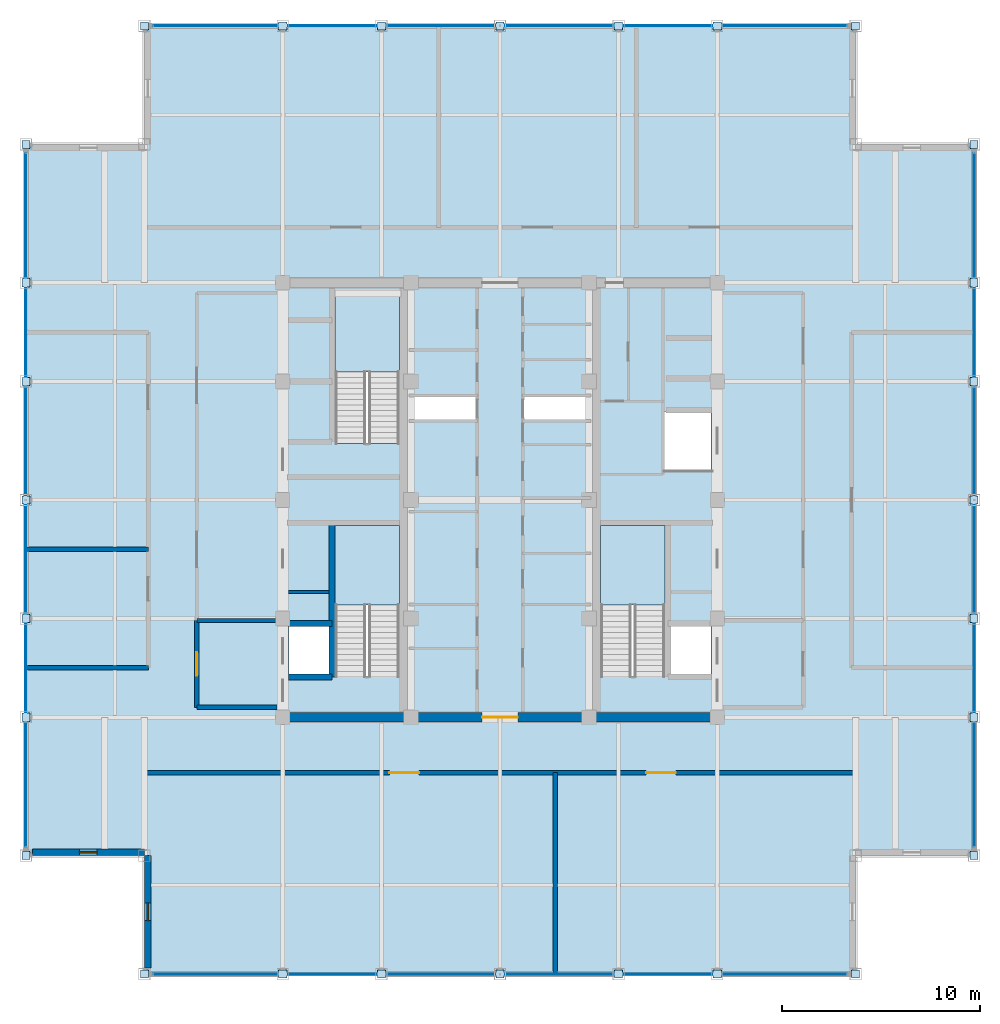
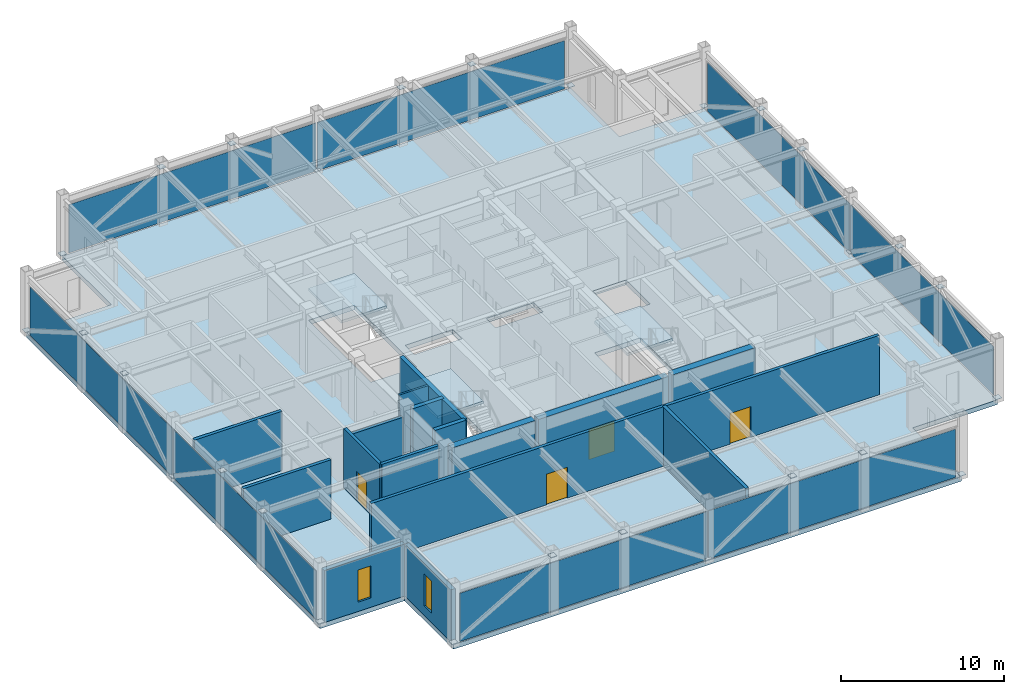
# One storey, part 23 of 27: 36 plates, 16 walls, 4 doors, 4 slabs, 2 windows, 6 openings, 7 elements without a shape of their own.
"""IFC4 building model written with IfcOpenShell, lengths in metres."""

import ifcopenshell
import ifcopenshell.guid

model = None  # the IFC model being written
_history = None  # IfcOwnerHistory: only IFC2X3 demands one
_inside = {}  # id of a spatial element -> (the spatial element, [elements in it])
_under = {}  # id of a project, library or spatial element -> (it, [spatial elements below it])
_declared = {}  # id of a project -> (the project, [libraries it declares])
_typed = {}  # id of a type object -> (the type object, [elements of that type])
_made_of = {}  # id of a material, layer set ... -> (it, [elements and type objects made of it])


def new_model(schema):
    """Start an empty IFC model of exactly this schema.

    Asked for "IFC4X3", IfcOpenShell would pick the latest addendum, in which some entities
    have other attributes; the version numbers below select the first issue.
    IFC2X3 requires an IfcOwnerHistory on every rooted entity: one is made here for all.
    """
    global model, _history
    if schema == "IFC4X3":
        model = ifcopenshell.file(schema_version=(4, 3, 0, 0))
    else:
        model = ifcopenshell.file(schema=schema)
    _inside.clear()
    _under.clear()
    _declared.clear()
    _typed.clear()
    _made_of.clear()
    _history = None
    if model.schema == "IFC2X3":
        org = make("IfcOrganization", Name="unknown")
        user = make(
            "IfcPersonAndOrganization",
            ThePerson=make("IfcPerson", FamilyName="unknown"),
            TheOrganization=org,
        )
        app = make(
            "IfcApplication",
            ApplicationDeveloper=org,
            Version="unknown",
            ApplicationFullName="unknown",
            ApplicationIdentifier="unknown",
        )
        _history = make(
            "IfcOwnerHistory",
            OwningUser=user,
            OwningApplication=app,
            ChangeAction="ADDED",
            CreationDate=0,
        )
    return model


def make(cls, **values):
    """One entity of the class cls with the attributes given. An attribute that is None is left unset."""
    return model.create_entity(
        cls, **{name: value for name, value in values.items() if value is not None}
    )


def rooted(cls, **values):
    """An entity with a GlobalId (a new one), such as an element, a storey or a relation."""
    return make(cls, GlobalId=ifcopenshell.guid.new(), OwnerHistory=_history, **values)


def si_unit(unit_type, name, prefix=None):
    """IfcSIUnit, for example si_unit("LENGTHUNIT", "METRE", prefix="MILLI")."""
    return make("IfcSIUnit", UnitType=unit_type, Prefix=prefix, Name=name)


def assignment(units):
    """IfcUnitAssignment: the units of a project."""
    return None if units is None else make("IfcUnitAssignment", Units=units)


def point(xyz):
    """IfcCartesianPoint."""
    return None if xyz is None else make("IfcCartesianPoint", Coordinates=xyz)


def direction(xyz):
    """IfcDirection."""
    return None if xyz is None else make("IfcDirection", DirectionRatios=xyz)


def frame(location, z_axis=None, x_axis=None):
    """IfcAxis2Placement3D, a coordinate frame: its origin and axes. An axis left out is left unset."""
    return make(
        "IfcAxis2Placement3D",
        Location=point(location),
        Axis=direction(z_axis),
        RefDirection=direction(x_axis),
    )


def frame_2d(location, x_axis=None):
    """IfcAxis2Placement2D, a coordinate frame in the plane: its origin and x axis."""
    return make(
        "IfcAxis2Placement2D", Location=point(location), RefDirection=direction(x_axis)
    )


def origin():
    """The frame at (0, 0, 0) with its axes left unset."""
    return frame((0.0, 0.0, 0.0))


def origin_2d():
    """The frame at (0, 0) in the plane with its x axis left unset."""
    return frame_2d((0.0, 0.0))


def place(relative_to, where):
    """IfcLocalPlacement: puts the frame where relative to a parent placement (None: the world)."""
    return make(
        "IfcLocalPlacement", PlacementRelTo=relative_to, RelativePlacement=where
    )


def context(
    kind, dimensions, precision=None, world=None, true_north=None, identifier=None
):
    """IfcGeometricRepresentationContext, for example the 3D "Model" context."""
    return make(
        "IfcGeometricRepresentationContext",
        ContextIdentifier=identifier,
        ContextType=kind,
        CoordinateSpaceDimension=dimensions,
        Precision=precision,
        WorldCoordinateSystem=world,
        TrueNorth=true_north,
    )


def subcontext(parent, identifier, kind, view, scale=None):
    """IfcGeometricRepresentationSubContext, for example "Body" below "Model"."""
    return make(
        "IfcGeometricRepresentationSubContext",
        ContextIdentifier=identifier,
        ContextType=kind,
        ParentContext=parent,
        TargetScale=scale,
        TargetView=view,
    )


def project(units=None, contexts=None):
    """IfcProject with its units and contexts."""
    return rooted(
        "IfcProject",
        Name="project",
        RepresentationContexts=contexts,
        UnitsInContext=assignment(units),
    )


def spatial(cls, under=None, at=None, **own):
    """A site, building, storey or space (cls), placed at a placement, below another one or the project."""
    s = rooted(cls, ObjectPlacement=at, **own)
    if under is not None:
        _under.setdefault(under.id(), (under, []))[1].append(s)
    return s


def polyline(points):
    """IfcPolyline through the points."""
    return make("IfcPolyline", Points=[point(p) for p in points])


def profile(cls, at=None, kind="AREA", **sizes):
    """A parametric profile (cls). Its sizes go by their IFC names, for example OverallWidth=200.0."""
    return make(cls, ProfileType=kind, Position=at, **sizes)


def rectangle(**sizes):
    """IfcRectangleProfileDef."""
    return profile("IfcRectangleProfileDef", **sizes)


def outline(outer, holes=None, kind="AREA"):
    """IfcArbitraryClosedProfileDef: a profile drawn as a closed curve; with holes, ...WithVoids."""
    if holes is None:
        return make("IfcArbitraryClosedProfileDef", ProfileType=kind, OuterCurve=outer)
    return make(
        "IfcArbitraryProfileDefWithVoids",
        ProfileType=kind,
        OuterCurve=outer,
        InnerCurves=holes,
    )


def extrude(swept, where, along, depth):
    """IfcExtrudedAreaSolid: the profile swept, set in the frame where, extruded along a direction by depth."""
    return make(
        "IfcExtrudedAreaSolid",
        SweptArea=swept,
        Position=where,
        ExtrudedDirection=direction(along),
        Depth=depth,
    )


def shape(context_of_items, identifier, shape_type, items):
    """IfcShapeRepresentation: the items that make up one representation, for example the "Body"."""
    return make(
        "IfcShapeRepresentation",
        ContextOfItems=context_of_items,
        RepresentationIdentifier=identifier,
        RepresentationType=shape_type,
        Items=items,
    )


def source(mapping_origin, context_of_items, identifier, shape_type, items):
    """IfcRepresentationMap: a shape defined once, which mapped items show again and again."""
    return make(
        "IfcRepresentationMap",
        MappingOrigin=mapping_origin,
        MappedRepresentation=shape(context_of_items, identifier, shape_type, items),
    )


def transform(
    local_origin,
    x_axis=None,
    y_axis=None,
    z_axis=None,
    scale=None,
    scale2=None,
    scale3=None,
    uniform=True,
):
    """IfcCartesianTransformationOperator3D, or its non-uniform kind. x_axis, y_axis, z_axis: its Axis1, 2, 3."""
    if uniform:
        return make(
            "IfcCartesianTransformationOperator3D",
            Axis1=direction(x_axis),
            Axis2=direction(y_axis),
            LocalOrigin=point(local_origin),
            Scale=scale,
            Axis3=direction(z_axis),
        )
    return make(
        "IfcCartesianTransformationOperator3DnonUniform",
        Axis1=direction(x_axis),
        Axis2=direction(y_axis),
        LocalOrigin=point(local_origin),
        Scale=scale,
        Axis3=direction(z_axis),
        Scale2=scale2,
        Scale3=scale3,
    )


def mapped(mapping_source, mapping_target):
    """IfcMappedItem: shows the shape of a source again, moved by a transform."""
    return make(
        "IfcMappedItem", MappingSource=mapping_source, MappingTarget=mapping_target
    )


def material(Name=None, Category=None):
    """IfcMaterial."""
    return make("IfcMaterial", Name=Name, Category=Category)


def layer(
    of_material, thickness, ventilated=None, Name=None, Category=None, Priority=None
):
    """IfcMaterialLayer: one layer of a wall or slab, of a material (None: an air gap)."""
    return make(
        "IfcMaterialLayer",
        Material=of_material,
        LayerThickness=thickness,
        IsVentilated=ventilated,
        Name=Name,
        Category=Category,
        Priority=Priority,
    )


def layer_set(layers, Name=None):
    """IfcMaterialLayerSet."""
    return make("IfcMaterialLayerSet", MaterialLayers=layers, LayerSetName=Name)


def made_of(thing, what):
    """Note that an element or type object is made of a material, layer set ...; save() writes the relation."""
    if what is not None:
        _made_of.setdefault(what.id(), (what, []))[1].append(thing)
    return thing


def type_object(cls, material=None, **own):
    """A type object (cls), such as IfcWallType, which elements share."""
    return made_of(rooted(cls, **own), material)


def element(
    cls,
    number,
    at=None,
    inside=None,
    cuts=None,
    type_object=None,
    material=None,
    context=None,
    identifier="Body",
    shape_type=None,
    held_by="IfcProductDefinitionShape",
    body=None,
    shapes=None,
    **own,
):
    """One element of the class cls, such as IfcWall. Its Tag is "e" and its number.

    at: its placement. inside: the storey or other place that contains it. cuts: it is an
    opening in that element (IfcRelVoidsElement). A single representation is given by context,
    identifier, shape_type and body (its items); several are given by shapes. held_by: the class
    of the entity that holds the representations. save() writes the other relations.
    """
    e = rooted(cls, Tag="e%d" % number, ObjectPlacement=at, **own)
    if body is not None:
        shapes = [shape(context, identifier, shape_type, body)]
    if shapes is not None:
        e.Representation = make(held_by, Representations=shapes)
    if inside is not None:
        _inside.setdefault(inside.id(), (inside, []))[1].append(e)
    if cuts is not None:
        rooted(
            "IfcRelVoidsElement", RelatingBuildingElement=cuts, RelatedOpeningElement=e
        )
    if type_object is not None:
        _typed.setdefault(type_object.id(), (type_object, []))[1].append(e)
    return made_of(e, material)


def fill(opening, filler):
    """IfcRelFillsElement: the door or window that sits in an opening."""
    return rooted(
        "IfcRelFillsElement",
        RelatingOpeningElement=opening,
        RelatedBuildingElement=filler,
    )


def aggregate(whole, parts):
    """IfcRelAggregates: a whole, such as a stair, and the parts it consists of."""
    return rooted("IfcRelAggregates", RelatingObject=whole, RelatedObjects=parts)


def save(model, path):
    """Write the relations noted so far, then the file.

    IfcRelAggregates (storeys below a building ...), IfcRelContainedInSpatialStructure (elements
    in a storey), IfcRelDefinesByType, IfcRelAssociatesMaterial and IfcRelDeclares: one each for
    every whole, place, type object, material and project.
    """
    for whole, parts in _under.values():
        aggregate(whole, parts)
    for where, things in _inside.values():
        rooted(
            "IfcRelContainedInSpatialStructure",
            RelatedElements=things,
            RelatingStructure=where,
        )
    for kind, things in _typed.values():
        rooted("IfcRelDefinesByType", RelatedObjects=things, RelatingType=kind)
    for what, things in _made_of.values():
        rooted("IfcRelAssociatesMaterial", RelatedObjects=things, RelatingMaterial=what)
    for by, libraries in _declared.values():
        rooted("IfcRelDeclares", RelatingContext=by, RelatedDefinitions=libraries)
    model.write(path)


model = new_model("IFC4")

# Units and contexts
model_context = context("Model", 3, precision=1e-05, world=origin(), true_north=direction((0.0, 1.0)))
body_context = subcontext(model_context, "Body", "Model", "MODEL_VIEW")
ifc_project = project(units=[si_unit("LENGTHUNIT", "METRE"), si_unit("AREAUNIT", "SQUARE_METRE"), si_unit("VOLUMEUNIT", "CUBIC_METRE"), si_unit("PLANEANGLEUNIT", "RADIAN"), si_unit("MASSUNIT", "GRAM", prefix="KILO")], contexts=[model_context])

# Site, building, storey
site_placement = place(None, origin())
site = spatial("IfcSite", under=ifc_project, at=site_placement, CompositionType="ELEMENT")
building_placement = place(site_placement, origin())
building = spatial("IfcBuilding", under=site, at=building_placement, Name="Khorayat Bourse Tower", CompositionType="ELEMENT")
storey_placement = place(building_placement, frame((0.0, 0.0, 389.89990234375)))
storey = spatial("IfcBuildingStorey", under=building, at=storey_placement, Name="L92", CompositionType="ELEMENT", Elevation=389.89990234375)

# Stair, slab
ifc_material_1 = material(Name="Concrete C40/50", Category="concrete")
stair_type = type_object("IfcStairType", Name="STR-CORE-1550", PredefinedType="HALF_TURN_STAIR", material=ifc_material_1)
stair_1_placement = place(storey_placement, origin())
stair_1 = element("IfcStair", 1, at=stair_1_placement, inside=storey, type_object=stair_type, Name="L92 Exit Stair ST-1", PredefinedType="HALF_TURN_STAIR")
ifc_layer_1 = layer(ifc_material_1, 0.199951171875)
ifc_layer_set_1 = layer_set([ifc_layer_1], Name="Concrete C40/50")
slab_type_1 = type_object("IfcSlabType", Name="SLB-LANDING-200", PredefinedType="LANDING", material=ifc_layer_set_1)
slab_1_placement = place(storey_placement, frame((0.0, 0.0, 2.2001953125)))
slab_1 = element("IfcSlab", 2, at=slab_1_placement, type_object=slab_type_1, Name="ST-1 landing 1", PredefinedType="LANDING", context=body_context, shape_type="SweptSolid", body=[
    extrude(outline(polyline([(-5.10009765625, -5.31005859375), (-5.10009765625, -1.300048828125), (-8.35009765625, -1.300048828125), (-8.35009765625, -5.31005859375), (-5.10009765625, -5.31005859375)])), origin(), (0.0, 0.0, 1.0), 0.199951171875),
])
aggregate(stair_1, [slab_1])

stair_2_placement = place(storey_placement, origin())
stair_2 = element("IfcStair", 3, at=stair_2_placement, inside=storey, type_object=stair_type, Name="L92 Exit Stair ST-2", PredefinedType="HALF_TURN_STAIR")
slab_2_placement = place(storey_placement, frame((0.0, 0.0, 2.2001953125)))
slab_2 = element("IfcSlab", 4, at=slab_2_placement, type_object=slab_type_1, Name="ST-2 landing 1", PredefinedType="LANDING", context=body_context, shape_type="SweptSolid", body=[
    extrude(outline(polyline([(-5.10009765625, 6.489990234375), (-5.10009765625, 10.5), (-8.35009765625, 10.5), (-8.35009765625, 6.489990234375), (-5.10009765625, 6.489990234375)])), origin(), (0.0, 0.0, 1.0), 0.199951171875),
])
aggregate(stair_2, [slab_2])

stair_3_placement = place(storey_placement, origin())
stair_3 = element("IfcStair", 5, at=stair_3_placement, inside=storey, type_object=stair_type, Name="L92 Exit Stair ST-3", PredefinedType="HALF_TURN_STAIR")
slab_3_placement = place(storey_placement, frame((0.0, 0.0, 2.2001953125)))
slab_3 = element("IfcSlab", 6, at=slab_3_placement, type_object=slab_type_1, Name="ST-3 landing 1", PredefinedType="LANDING", context=body_context, shape_type="SweptSolid", body=[
    extrude(outline(polyline([(8.35009765625, -5.31005859375), (8.35009765625, -1.300048828125), (5.10009765625, -1.300048828125), (5.10009765625, -5.31005859375), (8.35009765625, -5.31005859375)])), origin(), (0.0, 0.0, 1.0), 0.199951171875),
])
aggregate(stair_3, [slab_3])

# Slab
ifc_material_2 = material(Name="Concrete C50/60", Category="concrete")
ifc_layer_2 = layer(ifc_material_2, 0.35009765625)
ifc_layer_set_2 = layer_set([ifc_layer_2], Name="Concrete C50/60")
slab_type_2 = type_object("IfcSlabType", Name="SLB-PLANT-350", PredefinedType="FLOOR", material=ifc_layer_set_2)
slab_4_placement = place(storey_placement, frame((0.0, 0.0, -0.349853515625)))
element("IfcSlab", 7, at=slab_4_placement, inside=storey, type_object=slab_type_2, Name="L92 Main Floor Slab", PredefinedType="FLOOR", context=body_context, shape_type="SweptSolid", body=[
    extrude(outline(polyline([(-18.0, -24.0), (18.0, -24.0), (18.0, -18.0), (24.0, -18.0), (24.0, 18.0), (18.0, 18.0), (18.0, 24.0), (-18.0, 24.0), (-18.0, 18.0), (-24.0, 18.0), (-24.0, -18.0), (-18.0, -18.0), (-18.0, -24.0)]), holes=[polyline([(-8.35009765625, -8.945068359375), (-5.10009765625, -8.945068359375), (-5.10009765625, -1.300048828125), (-8.35009765625, -1.300048828125), (-8.35009765625, -8.945068359375)]), polyline([(-8.35009765625, 2.85498046875), (-5.10009765625, 2.85498046875), (-5.10009765625, 10.5), (-8.35009765625, 10.5), (-8.35009765625, 2.85498046875)]), polyline([(5.10009765625, -8.945068359375), (8.35009765625, -8.945068359375), (8.35009765625, -1.300048828125), (5.10009765625, -1.300048828125), (5.10009765625, -8.945068359375)]), polyline([(-10.679931640625, -8.929931640625), (-8.419921875, -8.929931640625), (-8.419921875, -6.3701171875), (-10.679931640625, -6.3701171875), (-10.679931640625, -8.929931640625)]), polyline([(8.419921875, -8.929931640625), (10.679931640625, -8.929931640625), (10.679931640625, -6.3701171875), (8.419921875, -6.3701171875), (8.419921875, -8.929931640625)]), polyline([(8.320068359375, 1.52001953125), (10.679931640625, 1.52001953125), (10.679931640625, 4.47998046875), (8.320068359375, 4.47998046875), (8.320068359375, 1.52001953125)]), polyline([(-4.56005859375, 4.080078125), (-1.18994140625, 4.080078125), (-1.18994140625, 5.219970703125), (-4.56005859375, 5.219970703125), (-4.56005859375, 4.080078125)]), polyline([(1.18994140625, 4.080078125), (4.56005859375, 4.080078125), (4.56005859375, 5.219970703125), (1.18994140625, 5.219970703125), (1.18994140625, 4.080078125)])]), origin(), (0.0, 0.0, 1.0), 0.349853515625),
])

# Plates
ifc_material_3 = material(Name="Steel EN 10025-2 S355J2", Category="steel")
ifc_layer_3 = layer(ifc_material_3, 0.02490234375)
ifc_layer_set_3 = layer_set([ifc_layer_3], Name="Steel EN 10025-2 S355J2")
plate_type_1 = type_object("IfcPlateType", Name="PLT-ENDCAP-25", PredefinedType="SHEET", material=ifc_layer_set_3)
shared_shape_1 = source(origin(), body_context, "Body", "SweptSolid", [
    extrude(rectangle(XDim=0.419921875, YDim=0.419921875, at=origin_2d()), origin(), (0.0, 0.0, 1.0), 0.02490234375),
])
for number, where, z_axis, x_axis, name in (
    (8, (-18.0, -24.0, 0.187744140625), (0.0, 0.0, 1.0), (1.0, 0.0, 0.0), "L92 Crown Frame Node Plate 001"),
    (9, (-11.0, -24.0, 4.237548828125), (0.0, 0.0, 1.0), (1.0, 0.0, 0.0), "L92 Crown Frame Node Plate 002"),
    (10, (-6.0, -24.0, 4.237548828125), (0.0, 0.0, 1.0), (1.0, 0.0, 0.0), "L92 Crown Frame Node Plate 003"),
    (11, (0.0, -24.0, 0.187744140625), (0.0, 0.0, 1.0), (1.0, 0.0, 0.0), "L92 Crown Frame Node Plate 004"),
    (12, (6.0, -24.0, 4.237548828125), (0.0, 0.0, 1.0), (1.0, 0.0, 0.0), "L92 Crown Frame Node Plate 005"),
    (13, (11.0, -24.0, 4.237548828125), (0.0, 0.0, 1.0), (1.0, 0.0, 0.0), "L92 Crown Frame Node Plate 006"),
    (14, (18.0, -24.0, 0.187744140625), (0.0, 0.0, 1.0), (1.0, 0.0, 0.0), "L92 Crown Frame Node Plate 007"),
    (15, (-18.0, 24.0, 0.187744140625), (0.0, 0.0, 1.0), (1.0, 0.0, 0.0), "L92 Crown Frame Node Plate 008"),
    (16, (-11.0, 24.0, 4.237548828125), (0.0, 0.0, 1.0), (1.0, 0.0, 0.0), "L92 Crown Frame Node Plate 009"),
    (17, (-6.0, 24.0, 4.237548828125), (0.0, 0.0, 1.0), (1.0, 0.0, 0.0), "L92 Crown Frame Node Plate 010"),
    (18, (0.0, 24.0, 0.187744140625), (0.0, 0.0, 1.0), (1.0, 0.0, 0.0), "L92 Crown Frame Node Plate 011"),
    (19, (6.0, 24.0, 4.237548828125), (0.0, 0.0, 1.0), (1.0, 0.0, 0.0), "L92 Crown Frame Node Plate 012"),
    (20, (11.0, 24.0, 4.237548828125), (0.0, 0.0, 1.0), (1.0, 0.0, 0.0), "L92 Crown Frame Node Plate 013"),
    (21, (18.0, 24.0, 0.187744140625), (0.0, 0.0, 1.0), (1.0, 0.0, 0.0), "L92 Crown Frame Node Plate 014"),
    (22, (-24.0, -18.0, 0.187744140625), (0.0, 0.0, 1.0), (1.0, 0.0, 0.0), "L92 Crown Frame Node Plate 015"),
    (23, (-24.0, -11.0, 4.237548828125), (0.0, 0.0, 1.0), (1.0, 0.0, 0.0), "L92 Crown Frame Node Plate 016"),
    (24, (-24.0, -6.0, 4.237548828125), (0.0, 0.0, 1.0), (1.0, 0.0, 0.0), "L92 Crown Frame Node Plate 017"),
    (25, (-24.0, 0.0, 0.187744140625), (0.0, 0.0, 1.0), (1.0, 0.0, 0.0), "L92 Crown Frame Node Plate 018"),
    (26, (-24.0, 6.0, 4.237548828125), (0.0, 0.0, 1.0), (1.0, 0.0, 0.0), "L92 Crown Frame Node Plate 019"),
    (27, (-24.0, 11.0, 4.237548828125), (0.0, 0.0, 1.0), (1.0, 0.0, 0.0), "L92 Crown Frame Node Plate 020"),
    (28, (-24.0, 18.0, 0.187744140625), (0.0, 0.0, 1.0), (1.0, 0.0, 0.0), "L92 Crown Frame Node Plate 021"),
    (29, (24.0, -18.0, 0.187744140625), (0.0, 0.0, 1.0), (1.0, 0.0, 0.0), "L92 Crown Frame Node Plate 022"),
    (30, (24.0, -11.0, 4.237548828125), (0.0, 0.0, 1.0), (1.0, 0.0, 0.0), "L92 Crown Frame Node Plate 023"),
    (31, (24.0, -6.0, 4.237548828125), (0.0, 0.0, 1.0), (1.0, 0.0, 0.0), "L92 Crown Frame Node Plate 024"),
    (32, (24.0, 0.0, 0.187744140625), (0.0, 0.0, 1.0), (1.0, 0.0, 0.0), "L92 Crown Frame Node Plate 025"),
    (33, (24.0, 6.0, 4.237548828125), (0.0, 0.0, 1.0), (1.0, 0.0, 0.0), "L92 Crown Frame Node Plate 026"),
    (34, (24.0, 11.0, 4.237548828125), (0.0, 0.0, 1.0), (1.0, 0.0, 0.0), "L92 Crown Frame Node Plate 027"),
    (35, (24.0, 18.0, 0.187744140625), (0.0, 0.0, 1.0), (1.0, 0.0, 0.0), "L92 Crown Frame Node Plate 028"),
):
    element("IfcPlate", number, at=place(storey_placement, frame(where, z_axis=z_axis, x_axis=x_axis)), inside=storey, type_object=plate_type_1, Name=name, PredefinedType="SHEET", context=body_context, shape_type="MappedRepresentation", body=[
        mapped(shared_shape_1, transform((0.0, 0.0, 0.0), scale=1.0)),
    ])

# Curtain wall, plates
ifc_material_4 = material(Name="Aluminium EN AW-6063 T6", Category="aluminium")
curtain_wall_type = type_object("IfcCurtainWallType", Name="CW-SYS-07", PredefinedType="NOTDEFINED", material=ifc_material_4)
curtain_wall_1_placement = place(storey_placement, origin())
curtain_wall_1 = element("IfcCurtainWall", 36, at=curtain_wall_1_placement, inside=storey, type_object=curtain_wall_type, Name="L92 Curtain Wall CW-L92-S1", PredefinedType="NOTDEFINED")
ifc_material_5 = material(Name="Backlit ceramic-fritted lantern glass", Category="glass")
ifc_layer_4 = layer(ifc_material_5, 0.048095703125)
ifc_layer_set_4 = layer_set([ifc_layer_4], Name="Backlit ceramic-fritted lantern glass")
plate_type_2 = type_object("IfcPlateType", Name="CWP-LANTERN-04", PredefinedType="CURTAIN_PANEL", material=ifc_layer_set_4)
shared_shape_2 = source(origin(), body_context, "Body", "SweptSolid", [
    extrude(rectangle(XDim=17.5, YDim=0.048095703125, at=origin_2d()), origin(), (0.0, 0.0, 1.0), 3.6201171875),
])
plate_1_placement = place(storey_placement, frame((-8.800048828125, -24.0, 0.090087890625), z_axis=(0.0, 0.0, 1.0), x_axis=(1.0, 0.0, 0.0)))
plate_1 = element("IfcPlate", 37, at=plate_1_placement, type_object=plate_type_2, Name="CW-L92-S1 Vision Panel 1-1", PredefinedType="CURTAIN_PANEL", context=body_context, shape_type="MappedRepresentation", body=[
    mapped(shared_shape_2, transform((0.0, 0.0, 0.0), scale=1.0)),
])
plate_2_placement = place(storey_placement, frame((8.800048828125, -24.0, 0.090087890625), z_axis=(0.0, 0.0, 1.0), x_axis=(1.0, 0.0, 0.0)))
plate_2 = element("IfcPlate", 38, at=plate_2_placement, type_object=plate_type_2, Name="CW-L92-S1 Vision Panel 2-1", PredefinedType="CURTAIN_PANEL", context=body_context, shape_type="MappedRepresentation", body=[
    mapped(shared_shape_2, transform((0.0, 0.0, 0.0), scale=1.0)),
])
aggregate(curtain_wall_1, [plate_1, plate_2])

curtain_wall_2_placement = place(storey_placement, origin())
curtain_wall_2 = element("IfcCurtainWall", 39, at=curtain_wall_2_placement, inside=storey, type_object=curtain_wall_type, Name="L92 Curtain Wall CW-L92-N1", PredefinedType="NOTDEFINED")
plate_3_placement = place(storey_placement, frame((-8.800048828125, 24.0, 0.090087890625), z_axis=(0.0, 0.0, 1.0), x_axis=(1.0, 0.0, 0.0)))
plate_3 = element("IfcPlate", 40, at=plate_3_placement, type_object=plate_type_2, Name="CW-L92-N1 Vision Panel 1-1", PredefinedType="CURTAIN_PANEL", context=body_context, shape_type="MappedRepresentation", body=[
    mapped(shared_shape_2, transform((0.0, 0.0, 0.0), scale=1.0)),
])
plate_4_placement = place(storey_placement, frame((8.800048828125, 24.0, 0.090087890625), z_axis=(0.0, 0.0, 1.0), x_axis=(1.0, 0.0, 0.0)))
plate_4 = element("IfcPlate", 41, at=plate_4_placement, type_object=plate_type_2, Name="CW-L92-N1 Vision Panel 2-1", PredefinedType="CURTAIN_PANEL", context=body_context, shape_type="MappedRepresentation", body=[
    mapped(shared_shape_2, transform((0.0, 0.0, 0.0), scale=1.0)),
])
aggregate(curtain_wall_2, [plate_3, plate_4])

curtain_wall_3_placement = place(storey_placement, origin())
curtain_wall_3 = element("IfcCurtainWall", 42, at=curtain_wall_3_placement, inside=storey, type_object=curtain_wall_type, Name="L92 Curtain Wall CW-L92-W1", PredefinedType="NOTDEFINED")
plate_5_placement = place(storey_placement, frame((-24.0, -8.800048828125, 0.090087890625), z_axis=(0.0, 0.0, 1.0), x_axis=(0.0, 1.0, 0.0)))
plate_5 = element("IfcPlate", 43, at=plate_5_placement, type_object=plate_type_2, Name="CW-L92-W1 Vision Panel 1-1", PredefinedType="CURTAIN_PANEL", context=body_context, shape_type="MappedRepresentation", body=[
    mapped(shared_shape_2, transform((0.0, 0.0, 0.0), scale=1.0)),
])
plate_6_placement = place(storey_placement, frame((-24.0, 8.800048828125, 0.090087890625), z_axis=(0.0, 0.0, 1.0), x_axis=(0.0, 1.0, 0.0)))
plate_6 = element("IfcPlate", 44, at=plate_6_placement, type_object=plate_type_2, Name="CW-L92-W1 Vision Panel 2-1", PredefinedType="CURTAIN_PANEL", context=body_context, shape_type="MappedRepresentation", body=[
    mapped(shared_shape_2, transform((0.0, 0.0, 0.0), scale=1.0)),
])
aggregate(curtain_wall_3, [plate_5, plate_6])

curtain_wall_4_placement = place(storey_placement, origin())
curtain_wall_4 = element("IfcCurtainWall", 45, at=curtain_wall_4_placement, inside=storey, type_object=curtain_wall_type, Name="L92 Curtain Wall CW-L92-E1", PredefinedType="NOTDEFINED")
plate_7_placement = place(storey_placement, frame((24.0, -8.800048828125, 0.090087890625), z_axis=(0.0, 0.0, 1.0), x_axis=(0.0, 1.0, 0.0)))
plate_7 = element("IfcPlate", 46, at=plate_7_placement, type_object=plate_type_2, Name="CW-L92-E1 Vision Panel 1-1", PredefinedType="CURTAIN_PANEL", context=body_context, shape_type="MappedRepresentation", body=[
    mapped(shared_shape_2, transform((0.0, 0.0, 0.0), scale=1.0)),
])
plate_8_placement = place(storey_placement, frame((24.0, 8.800048828125, 0.090087890625), z_axis=(0.0, 0.0, 1.0), x_axis=(0.0, 1.0, 0.0)))
plate_8 = element("IfcPlate", 47, at=plate_8_placement, type_object=plate_type_2, Name="CW-L92-E1 Vision Panel 2-1", PredefinedType="CURTAIN_PANEL", context=body_context, shape_type="MappedRepresentation", body=[
    mapped(shared_shape_2, transform((0.0, 0.0, 0.0), scale=1.0)),
])
aggregate(curtain_wall_4, [plate_7, plate_8])

# Walls
ifc_material_6 = material(Name="Concrete C52/65", Category="concrete")
ifc_layer_5 = layer(ifc_material_6, 0.5)
ifc_layer_set_5 = layer_set([ifc_layer_5], Name="Concrete C52/65")
wall_type_1 = type_object("IfcWallType", Name="WAL-CORE-500", PredefinedType="SHEAR", material=ifc_layer_set_5)
shared_shape_3 = source(origin(), body_context, "Body", "SweptSolid", [
    extrude(rectangle(XDim=5.89990234375, YDim=0.5, at=frame_2d((2.949951171875, 0.0))), origin(), (0.0, 0.0, 1.0), 4.4501953125),
])
for number, where, z_axis, x_axis, name in (
    (48, (-10.75, -11.0, 0.0), (0.0, 0.0, 1.0), (1.0, 0.0, 0.0), "L92 Core Shear Wall PIER-WS"),
    (49, (4.85009765625, -11.0, 0.0), (0.0, 0.0, 1.0), (1.0, 0.0, 0.0), "L92 Core Shear Wall PIER-ES"),
):
    element("IfcWall", number, at=place(storey_placement, frame(where, z_axis=z_axis, x_axis=x_axis)), inside=storey, type_object=wall_type_1, Name=name, PredefinedType="SHEAR", context=body_context, shape_type="MappedRepresentation", body=[
        mapped(shared_shape_3, transform((0.0, 0.0, 0.0), scale=1.0)),
    ])

# Wall, opening, door
shared_shape_4 = source(origin(), body_context, "Body", "SweptSolid", [
    extrude(rectangle(XDim=9.2001953125, YDim=0.5, at=frame_2d((4.60009765625, 0.0))), origin(), (0.0, 0.0, 1.0), 4.4501953125),
])
wall_1_placement = place(storey_placement, frame((-4.60009765625, -11.0, 0.0), z_axis=(0.0, 0.0, 1.0), x_axis=(1.0, 0.0, 0.0)))
wall_1 = element("IfcWall", 50, at=wall_1_placement, inside=storey, type_object=wall_type_1, Name="L92 Core Shear Wall CORE-S", PredefinedType="SHEAR", context=body_context, shape_type="MappedRepresentation", body=[
    mapped(shared_shape_4, transform((0.0, 0.0, 0.0), scale=1.0)),
])
shared_shape_5 = source(origin(), body_context, "Body", "SweptSolid", [
    extrude(rectangle(XDim=1.800048828125, YDim=2.25, at=frame_2d((0.89990234375, 1.125))), frame((0.0, 0.260009765625, 0.0), z_axis=(0.0, -1.0, 0.0), x_axis=(1.0, 0.0, 0.0)), (0.0, 0.0, 1.0), 0.52001953125),
])
opening_1_placement = place(wall_1_placement, frame((3.699951171875, 0.0, 0.0)))
opening_1 = element("IfcOpeningElement", 51, at=opening_1_placement, cuts=wall_1, Name="Opening DI-03", PredefinedType="OPENING", context=body_context, shape_type="MappedRepresentation", body=[
    mapped(shared_shape_5, transform((0.0, 0.0, 0.0), scale=1.0)),
])
ifc_material_7 = material(Name="Fire-rated hardwood vision-panel double leaf", Category="wood")
door_type_1 = type_object("IfcDoorType", Name="DR-INT-CORR-1800", OperationType="NOTDEFINED", PredefinedType="DOOR", material=ifc_material_7)
shared_shape_6 = source(origin(), body_context, "Body", "SweptSolid", [
    extrude(rectangle(XDim=1.800048828125, YDim=2.25, at=frame_2d((0.89990234375, 1.125))), frame((0.0, 0.02490234375, 0.0), z_axis=(0.0, -1.0, 0.0), x_axis=(1.0, 0.0, 0.0)), (0.0, 0.0, 1.0), 0.050048828125),
])
door_1_placement = place(opening_1_placement, origin())
door_1 = element("IfcDoor", 52, at=door_1_placement, inside=storey, type_object=door_type_1, Name="L92 Central Core South Passage Door", OperationType="SINGLE_SWING_LEFT", OverallHeight=2.25, OverallWidth=1.800048828125, PredefinedType="DOOR", context=body_context, shape_type="MappedRepresentation", body=[
    mapped(shared_shape_6, transform((0.0, 0.0, 0.0), scale=1.0)),
])
fill(opening_1, door_1)

# Wall, opening, window
ifc_material_8 = material(Name="Precast concrete C45/55", Category="concrete")
ifc_layer_6 = layer(ifc_material_8, 0.320068359375)
ifc_layer_set_6 = layer_set([ifc_layer_6], Name="Precast concrete C45/55")
wall_type_2 = type_object("IfcWallType", Name="WAL-EXT-STONE-320", PredefinedType="STANDARD", material=ifc_layer_set_6)
shared_shape_7 = source(origin(), body_context, "Body", "SweptSolid", [
    extrude(rectangle(XDim=5.679931640625, YDim=0.320068359375, at=frame_2d((2.83984375, 0.0))), origin(), (0.0, 0.0, 1.0), 3.901123046875),
])
wall_2_placement = place(storey_placement, frame((-18.0, -17.840087890625, 0.0), z_axis=(0.0, 0.0, 1.0), x_axis=(-1.0, 0.0, 0.0)))
wall_2 = element("IfcWall", 53, at=wall_2_placement, inside=storey, type_object=wall_type_2, Name="L92 Re-Entrant Notch Limestone Wall SW-H", PredefinedType="STANDARD", context=body_context, shape_type="MappedRepresentation", body=[
    mapped(shared_shape_7, transform((0.0, 0.0, 0.0), scale=1.0)),
])
shared_shape_8 = source(origin(), body_context, "Body", "SweptSolid", [
    extrude(rectangle(XDim=0.89990234375, YDim=2.39990234375, at=frame_2d((0.449951171875, 1.199951171875))), frame((0.0, 0.169921875, 0.0), z_axis=(0.0, -1.0, 0.0), x_axis=(1.0, 0.0, 0.0)), (0.0, 0.0, 1.0), 0.340087890625),
])
opening_2_placement = place(wall_2_placement, frame((2.389892578125, 0.0, 0.699951171875)))
opening_2 = element("IfcOpeningElement", 54, at=opening_2_placement, cuts=wall_2, Name="Opening WN-03", PredefinedType="OPENING", context=body_context, shape_type="MappedRepresentation", body=[
    mapped(shared_shape_8, transform((0.0, 0.0, 0.0), scale=1.0)),
])
ifc_material_9 = material(Name="Deep-reveal solar-control double glazing", Category="glass")
window_type = type_object("IfcWindowType", Name="WIN-SLOT-900x2400", PartitioningType="SINGLE_PANEL", PredefinedType="WINDOW", material=ifc_material_9)
shared_shape_9 = source(origin(), body_context, "Body", "SweptSolid", [
    extrude(rectangle(XDim=0.89990234375, YDim=2.39990234375, at=frame_2d((0.449951171875, 1.199951171875))), frame((0.0, 0.030029296875, 0.0), z_axis=(0.0, -1.0, 0.0), x_axis=(1.0, 0.0, 0.0)), (0.0, 0.0, 1.0), 0.06005859375),
])
window_1_placement = place(opening_2_placement, origin())
window_1 = element("IfcWindow", 55, at=window_1_placement, inside=storey, type_object=window_type, Name="L92 Facade Window 1", OverallHeight=2.39990234375, OverallWidth=0.89990234375, PartitioningType="SINGLE_PANEL", PredefinedType="WINDOW", context=body_context, shape_type="MappedRepresentation", body=[
    mapped(shared_shape_9, transform((0.0, 0.0, 0.0), scale=1.0)),
])
fill(opening_2, window_1)

wall_3_placement = place(storey_placement, frame((-17.840087890625, -23.679931640625, 0.0), z_axis=(0.0, 0.0, 1.0), x_axis=(0.0, 1.0, 0.0)))
wall_3 = element("IfcWall", 56, at=wall_3_placement, inside=storey, type_object=wall_type_2, Name="L92 Re-Entrant Notch Limestone Wall SW-V", PredefinedType="STANDARD", context=body_context, shape_type="MappedRepresentation", body=[
    mapped(shared_shape_7, transform((0.0, 0.0, 0.0), scale=1.0)),
])
opening_3_placement = place(wall_3_placement, frame((2.389892578125, 0.0, 0.699951171875)))
opening_3 = element("IfcOpeningElement", 57, at=opening_3_placement, cuts=wall_3, Name="Opening WN-03", PredefinedType="OPENING", context=body_context, shape_type="MappedRepresentation", body=[
    mapped(shared_shape_8, transform((0.0, 0.0, 0.0), scale=1.0)),
])
window_2_placement = place(opening_3_placement, origin())
window_2 = element("IfcWindow", 58, at=window_2_placement, inside=storey, type_object=window_type, Name="L92 Facade Window 1", OverallHeight=2.39990234375, OverallWidth=0.89990234375, PartitioningType="SINGLE_PANEL", PredefinedType="WINDOW", context=body_context, shape_type="MappedRepresentation", body=[
    mapped(shared_shape_9, transform((0.0, 0.0, 0.0), scale=1.0)),
])
fill(opening_3, window_2)

# Walls
ifc_layer_7 = layer(ifc_material_2, 0.300048828125)
ifc_layer_set_7 = layer_set([ifc_layer_7], Name="Concrete C50/60")
wall_type_3 = type_object("IfcWallType", Name="WAL-SHAFT-300", PredefinedType="SHEAR", material=ifc_layer_set_7)
shared_shape_10 = source(origin(), body_context, "Body", "SweptSolid", [
    extrude(rectangle(XDim=7.800048828125, YDim=0.300048828125, at=frame_2d((3.89990234375, 0.0))), origin(), (0.0, 0.0, 1.0), 4.4501953125),
])
wall_4_placement = place(storey_placement, frame((-8.5, -8.949951171875, 0.0), z_axis=(0.0, 0.0, 1.0), x_axis=(0.0, 1.0, 0.0)))
element("IfcWall", 59, at=wall_4_placement, inside=storey, type_object=wall_type_3, Name="L92 Partition WAL-L92-WPIER-SP", PredefinedType="SHEAR", context=body_context, shape_type="MappedRepresentation", body=[
    mapped(shared_shape_10, transform((0.0, 0.0, 0.0), scale=1.0)),
])
shared_shape_11 = source(origin(), body_context, "Body", "SweptSolid", [
    extrude(rectangle(XDim=2.199951171875, YDim=0.300048828125, at=frame_2d((1.10009765625, 0.0))), origin(), (0.0, 0.0, 1.0), 4.4501953125),
])
for number, where, z_axis, x_axis, name in (
    (60, (-10.699951171875, -8.949951171875, 0.0), (0.0, 0.0, 1.0), (1.0, 0.0, 0.0), "L92 Partition WAL-L92-WPIER-FF1S"),
    (61, (-10.699951171875, -6.25, 0.0), (0.0, 0.0, 1.0), (1.0, 0.0, 0.0), "L92 Partition WAL-L92-WPIER-FF1N"),
):
    element("IfcWall", number, at=place(storey_placement, frame(where, z_axis=z_axis, x_axis=x_axis)), inside=storey, type_object=wall_type_3, Name=name, PredefinedType="SHEAR", context=body_context, shape_type="MappedRepresentation", body=[
        mapped(shared_shape_11, transform((0.0, 0.0, 0.0), scale=1.0)),
    ])
ifc_material_10 = material(Name="Gypsum plasterboard twin-frame partition")
ifc_layer_8 = layer(ifc_material_10, 0.14990234375)
ifc_layer_set_8 = layer_set([ifc_layer_8], Name="Gypsum plasterboard twin-frame partition")
wall_type_4 = type_object("IfcWallType", Name="WAL-PART-SUITE-150", PredefinedType="PARTITIONING", material=ifc_layer_set_8)
shared_shape_12 = source(origin(), body_context, "Body", "SweptSolid", [
    extrude(rectangle(XDim=2.050048828125, YDim=0.14990234375, at=frame_2d((1.02490234375, 0.0))), origin(), (0.0, 0.0, 1.0), 4.4501953125),
])
wall_5_placement = place(storey_placement, frame((-10.699951171875, -4.64990234375, 0.0), z_axis=(0.0, 0.0, 1.0), x_axis=(1.0, 0.0, 0.0)))
element("IfcWall", 62, at=wall_5_placement, inside=storey, type_object=wall_type_4, Name="L92 Partition WAL-L92-WSRV-S0", PredefinedType="PARTITIONING", context=body_context, shape_type="MappedRepresentation", body=[
    mapped(shared_shape_12, transform((0.0, 0.0, 0.0), scale=1.0)),
])
ifc_material_11 = material(Name="Aerated concrete blockwork", Category="masonry")
ifc_layer_9 = layer(ifc_material_11, 0.219970703125)
ifc_layer_set_9 = layer_set([ifc_layer_9], Name="Aerated concrete blockwork")
wall_type_5 = type_object("IfcWallType", Name="WAL-PART-FF-220", PredefinedType="PARTITIONING", material=ifc_layer_set_9)
shared_shape_13 = source(origin(), body_context, "Body", "SweptSolid", [
    extrude(rectangle(XDim=4.050048828125, YDim=0.219970703125, at=frame_2d((2.02490234375, 0.0))), origin(), (0.0, 0.0, 1.0), 4.4501953125),
])
wall_6_placement = place(storey_placement, frame((-15.35009765625, -10.5, 0.0), z_axis=(0.0, 0.0, 1.0), x_axis=(1.0, 0.0, 0.0)))
element("IfcWall", 63, at=wall_6_placement, inside=storey, type_object=wall_type_5, Name="L92 Partition WAL-L92-FFLW-S", PredefinedType="PARTITIONING", context=body_context, shape_type="MappedRepresentation", body=[
    mapped(shared_shape_13, transform((0.0, 0.0, 0.0), scale=1.0)),
])
shared_shape_14 = source(origin(), body_context, "Body", "SweptSolid", [
    extrude(rectangle(XDim=4.050048828125, YDim=0.219970703125, at=frame_2d((2.02490234375, 0.0))), origin(), (0.0, 0.0, 1.0), 3.901123046875),
])
wall_7_placement = place(storey_placement, frame((-15.35009765625, -6.10009765625, 0.0), z_axis=(0.0, 0.0, 1.0), x_axis=(1.0, 0.0, 0.0)))
element("IfcWall", 64, at=wall_7_placement, inside=storey, type_object=wall_type_5, Name="L92 Partition WAL-L92-FFLW-N", PredefinedType="PARTITIONING", context=body_context, shape_type="MappedRepresentation", body=[
    mapped(shared_shape_14, transform((0.0, 0.0, 0.0), scale=1.0)),
])

# Wall, opening, door
shared_shape_15 = source(origin(), body_context, "Body", "SweptSolid", [
    extrude(rectangle(XDim=4.39990234375, YDim=0.219970703125, at=frame_2d((2.199951171875, 0.0))), origin(), (0.0, 0.0, 1.0), 4.4501953125),
])
wall_8_placement = place(storey_placement, frame((-15.35009765625, -10.5, 0.0), z_axis=(0.0, 0.0, 1.0), x_axis=(0.0, 1.0, 0.0)))
wall_8 = element("IfcWall", 65, at=wall_8_placement, inside=storey, type_object=wall_type_5, Name="L92 Partition WAL-L92-FFLW-W", PredefinedType="PARTITIONING", context=body_context, shape_type="MappedRepresentation", body=[
    mapped(shared_shape_15, transform((0.0, 0.0, 0.0), scale=1.0)),
])
shared_shape_16 = source(origin(), body_context, "Body", "SweptSolid", [
    extrude(rectangle(XDim=1.199951171875, YDim=2.199951171875, at=frame_2d((0.60009765625, 1.10009765625))), frame((0.0, 0.119873046875, 0.0), z_axis=(0.0, -1.0, 0.0), x_axis=(1.0, 0.0, 0.0)), (0.0, 0.0, 1.0), 0.239990234375),
])
opening_4_placement = place(wall_8_placement, frame((1.60009765625, 0.0, 0.0)))
opening_4 = element("IfcOpeningElement", 66, at=opening_4_placement, cuts=wall_8, Name="Opening DI-02", PredefinedType="OPENING", context=body_context, shape_type="MappedRepresentation", body=[
    mapped(shared_shape_16, transform((0.0, 0.0, 0.0), scale=1.0)),
])
ifc_material_12 = material(Name="Fire-rated steel double-seal leaf", Category="steel")
door_type_2 = type_object("IfcDoorType", Name="DR-INT-FFLOBBY-1200", OperationType="NOTDEFINED", PredefinedType="DOOR", material=ifc_material_12)
shared_shape_17 = source(origin(), body_context, "Body", "SweptSolid", [
    extrude(rectangle(XDim=1.199951171875, YDim=2.199951171875, at=frame_2d((0.60009765625, 1.10009765625))), frame((0.0, 0.02490234375, 0.0), z_axis=(0.0, -1.0, 0.0), x_axis=(1.0, 0.0, 0.0)), (0.0, 0.0, 1.0), 0.050048828125),
])
door_2_placement = place(opening_4_placement, origin())
door_2 = element("IfcDoor", 67, at=door_2_placement, inside=storey, type_object=door_type_2, Name="L92 West Firefighting Lobby Door", OperationType="SINGLE_SWING_LEFT", OverallHeight=2.199951171875, OverallWidth=1.199951171875, PredefinedType="DOOR", context=body_context, shape_type="MappedRepresentation", body=[
    mapped(shared_shape_17, transform((0.0, 0.0, 0.0), scale=1.0)),
])
fill(opening_4, door_2)

# Wall
shared_shape_18 = source(origin(), body_context, "Body", "SweptSolid", [
    extrude(rectangle(XDim=10.199951171875, YDim=0.219970703125, at=frame_2d((5.10009765625, 0.0))), origin(), (0.0, 0.0, 1.0), 4.4501953125),
])
wall_9_placement = place(storey_placement, frame((2.800048828125, -24.0, 0.0), z_axis=(0.0, 0.0, 1.0), x_axis=(0.0, 1.0, 0.0)))
element("IfcWall", 68, at=wall_9_placement, inside=storey, type_object=wall_type_5, Name="L92 Partition WAL-L92-PLS-DIV", PredefinedType="PARTITIONING", context=body_context, shape_type="MappedRepresentation", body=[
    mapped(shared_shape_18, transform((0.0, 0.0, 0.0), scale=1.0)),
])

# Wall, openings, doors
shared_shape_19 = source(origin(), body_context, "Body", "SweptSolid", [
    extrude(rectangle(XDim=36.0, YDim=0.219970703125, at=frame_2d((18.0, 0.0))), origin(), (0.0, 0.0, 1.0), 4.4501953125),
])
wall_10_placement = place(storey_placement, frame((-18.0, -13.800048828125, 0.0), z_axis=(0.0, 0.0, 1.0), x_axis=(1.0, 0.0, 0.0)))
wall_10 = element("IfcWall", 69, at=wall_10_placement, inside=storey, type_object=wall_type_5, Name="L92 Partition WAL-L92-PLS-N", PredefinedType="PARTITIONING", context=body_context, shape_type="MappedRepresentation", body=[
    mapped(shared_shape_19, transform((0.0, 0.0, 0.0), scale=1.0)),
])
shared_shape_20 = source(origin(), body_context, "Body", "SweptSolid", [
    extrude(rectangle(XDim=1.5, YDim=2.300048828125, at=frame_2d((0.75, 1.14990234375))), frame((0.0, 0.119873046875, 0.0), z_axis=(0.0, -1.0, 0.0), x_axis=(1.0, 0.0, 0.0)), (0.0, 0.0, 1.0), 0.239990234375),
])
opening_5_placement = place(wall_10_placement, frame((12.39990234375, 0.0, 0.0)))
opening_5 = element("IfcOpeningElement", 70, at=opening_5_placement, cuts=wall_10, Name="Opening DI-07", PredefinedType="OPENING", context=body_context, shape_type="MappedRepresentation", body=[
    mapped(shared_shape_20, transform((0.0, 0.0, 0.0), scale=1.0)),
])
opening_6_placement = place(wall_10_placement, frame((25.39990234375, 0.0, 0.0)))
opening_6 = element("IfcOpeningElement", 71, at=opening_6_placement, cuts=wall_10, Name="Opening DI-07", PredefinedType="OPENING", context=body_context, shape_type="MappedRepresentation", body=[
    mapped(shared_shape_20, transform((0.0, 0.0, 0.0), scale=1.0)),
])
ifc_material_13 = material(Name="Louvred fire-rated steel plant double door", Category="steel")
door_type_3 = type_object("IfcDoorType", Name="DR-INT-PLANT-1500", OperationType="NOTDEFINED", PredefinedType="DOOR", material=ifc_material_13)
shared_shape_21 = source(origin(), body_context, "Body", "SweptSolid", [
    extrude(rectangle(XDim=1.5, YDim=2.300048828125, at=frame_2d((0.75, 1.14990234375))), frame((0.0, 0.02490234375, 0.0), z_axis=(0.0, -1.0, 0.0), x_axis=(1.0, 0.0, 0.0)), (0.0, 0.0, 1.0), 0.050048828125),
])
door_3_placement = place(opening_5_placement, origin())
door_3 = element("IfcDoor", 72, at=door_3_placement, inside=storey, type_object=door_type_3, Name="L92 Chiller Plant Door", OperationType="SINGLE_SWING_LEFT", OverallHeight=2.300048828125, OverallWidth=1.5, PredefinedType="DOOR", context=body_context, shape_type="MappedRepresentation", body=[
    mapped(shared_shape_21, transform((0.0, 0.0, 0.0), scale=1.0)),
])
fill(opening_5, door_3)
door_4_placement = place(opening_6_placement, origin())
door_4 = element("IfcDoor", 73, at=door_4_placement, inside=storey, type_object=door_type_3, Name="L92 Pump Plant Door", OperationType="SINGLE_SWING_RIGHT", OverallHeight=2.300048828125, OverallWidth=1.5, PredefinedType="DOOR", context=body_context, shape_type="MappedRepresentation", body=[
    mapped(shared_shape_21, transform((0.0, 0.0, 0.0), scale=1.0)),
])
fill(opening_6, door_4)

# Walls
shared_shape_22 = source(origin(), body_context, "Body", "SweptSolid", [
    extrude(rectangle(XDim=6.199951171875, YDim=0.219970703125, at=frame_2d((3.10009765625, 0.0))), origin(), (0.0, 0.0, 1.0), 4.4501953125),
])
for number, where, z_axis, x_axis, name in (
    (74, (-24.0, -2.5, 0.0), (0.0, 0.0, 1.0), (1.0, 0.0, 0.0), "L92 Partition WAL-L92-CRNW-D"),
    (75, (-24.0, -8.5, 0.0), (0.0, 0.0, 1.0), (1.0, 0.0, 0.0), "L92 Partition WAL-L92-PLW-S"),
):
    element("IfcWall", number, at=place(storey_placement, frame(where, z_axis=z_axis, x_axis=x_axis)), inside=storey, type_object=wall_type_5, Name=name, PredefinedType="PARTITIONING", context=body_context, shape_type="MappedRepresentation", body=[
        mapped(shared_shape_22, transform((0.0, 0.0, 0.0), scale=1.0)),
    ])

save(model, "model.ifc")
